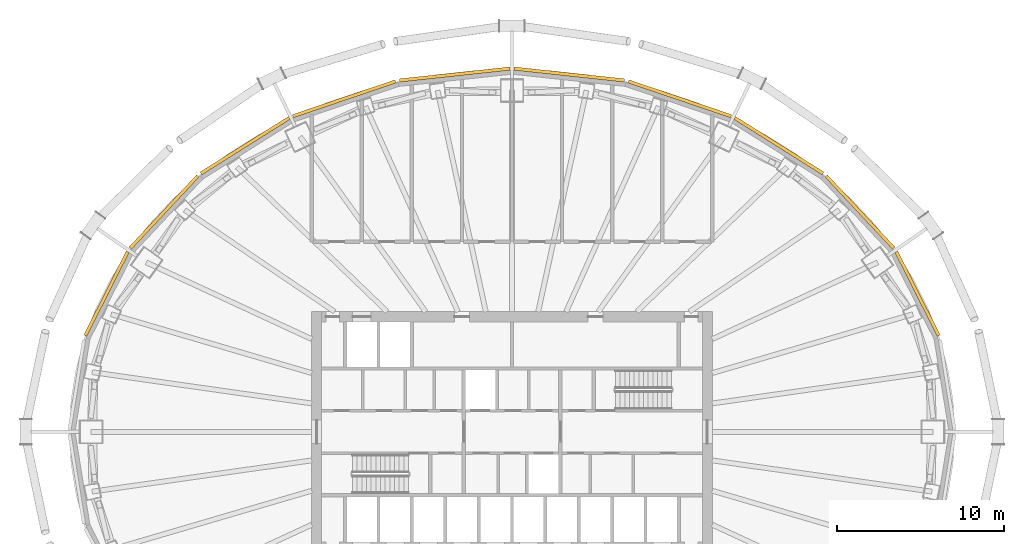
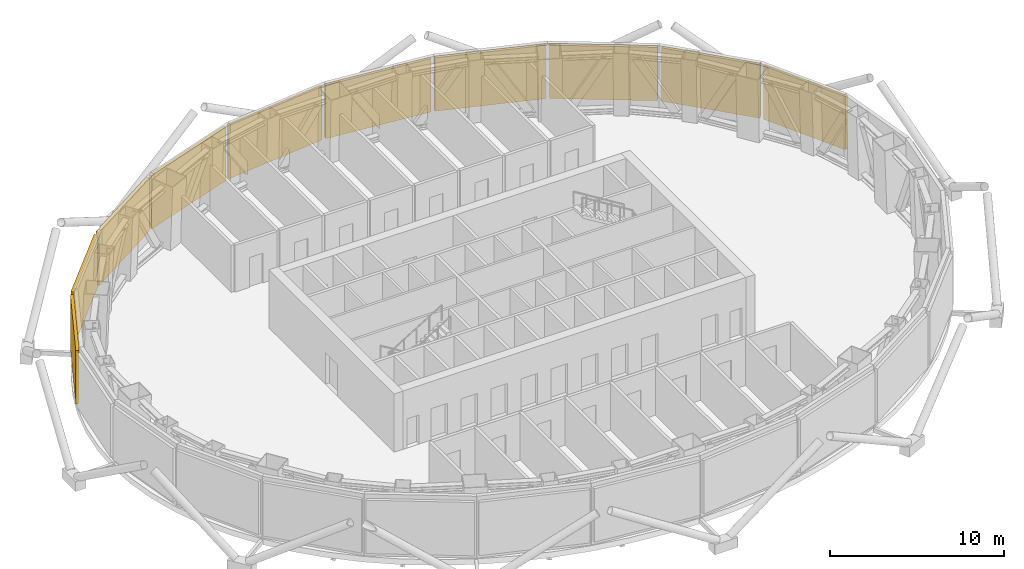
# One storey, part 18 of 18: 10 shading devices.
"""IFC4 building model written with IfcOpenShell, lengths in metres."""

from ifc_helpers import new_model, si_unit, direction, frame, origin, origin_2d, place, context, subcontext, project, spatial, rectangle, extrude, material, layer, layer_set, type_object, element, save


model = new_model("IFC4")

# Units and contexts
model_context = context("Model", 3, precision=1e-05, world=origin(), true_north=direction((0.0, 1.0)))
body_context = subcontext(model_context, "Body", "Model", "MODEL_VIEW")
ifc_project = project(units=[si_unit("LENGTHUNIT", "METRE"), si_unit("AREAUNIT", "SQUARE_METRE"), si_unit("VOLUMEUNIT", "CUBIC_METRE"), si_unit("PLANEANGLEUNIT", "RADIAN"), si_unit("MASSUNIT", "GRAM", prefix="KILO")], contexts=[model_context])

# Site, building, storey
site_placement = place(None, origin())
site = spatial("IfcSite", under=ifc_project, at=site_placement, CompositionType="ELEMENT")
building_placement = place(site_placement, origin())
building = spatial("IfcBuilding", under=site, at=building_placement, Name="Siaravel Broadcast Tower", CompositionType="ELEMENT")
storey_placement = place(building_placement, frame((0.0, 0.0, 92.60009765625)))
storey = spatial("IfcBuildingStorey", under=building, at=storey_placement, Name="L21", CompositionType="ELEMENT", Elevation=92.60009765625)

# Shading devices
ifc_material = material(Name="Bronze anodised aluminium", Category="aluminium")
ifc_layer = layer(ifc_material, 0.199951171875)
ifc_layer_set = layer_set([ifc_layer], Name="Bronze anodised aluminium")
shading_device_type = type_object("IfcShadingDeviceType", Name="Plant louvre bank", PredefinedType="USERDEFINED", material=ifc_layer_set)
shading_device_1_placement = place(storey_placement, frame((24.296142578125, 8.28369140625, 0.2998046875), z_axis=(0.0, 0.0, 1.0), x_axis=(-0.451260732, 0.892392151, 0.0)))
element("IfcShadingDevice", 1, at=shading_device_1_placement, inside=storey, type_object=shading_device_type, Name="L21 plant louvre bank 02", ObjectType="LOUVRE", PredefinedType="USERDEFINED", context=body_context, shape_type="SweptSolid", body=[
    extrude(rectangle(XDim=5.628173828125, YDim=0.199951171875, at=origin_2d()), origin(), (0.0, 0.0, 1.0), 3.75),
])
shading_device_2_placement = place(storey_placement, frame((20.853759765625, 13.168212890625, 0.2998046875), z_axis=(0.0, 0.0, 1.0), x_axis=(-0.683654718, 0.729805608, 0.0)))
element("IfcShadingDevice", 2, at=shading_device_2_placement, inside=storey, type_object=shading_device_type, Name="L21 plant louvre bank 03", ObjectType="LOUVRE", PredefinedType="USERDEFINED", context=body_context, shape_type="SweptSolid", body=[
    extrude(rectangle(XDim=5.91748046875, YDim=0.199951171875, at=origin_2d()), origin(), (0.0, 0.0, 1.0), 3.75),
])
shading_device_3_placement = place(storey_placement, frame((15.994140625, 17.1494140625, 0.2998046875), z_axis=(0.0, 0.0, 1.0), x_axis=(-0.846650436, 0.532149452, 0.0)))
element("IfcShadingDevice", 3, at=shading_device_3_placement, inside=storey, type_object=shading_device_type, Name="L21 plant louvre bank 04", ObjectType="LOUVRE", PredefinedType="USERDEFINED", context=body_context, shape_type="SweptSolid", body=[
    extrude(rectangle(XDim=6.235595703125, YDim=0.199951171875, at=origin_2d()), origin(), (0.0, 0.0, 1.0), 3.75),
])
shading_device_4_placement = place(storey_placement, frame((10.05078125, 19.960205078125, 0.2998046875), z_axis=(0.0, 0.0, 1.0), x_axis=(-0.946977245, 0.321300635, 0.0)))
element("IfcShadingDevice", 4, at=shading_device_4_placement, inside=storey, type_object=shading_device_type, Name="L21 plant louvre bank 05", ObjectType="LOUVRE", PredefinedType="USERDEFINED", context=body_context, shape_type="SweptSolid", body=[
    extrude(rectangle(XDim=6.4990234375, YDim=0.199951171875, at=origin_2d()), origin(), (0.0, 0.0, 1.0), 3.75),
])
for number, where, z_axis, x_axis, name in (
    (5, (3.427490234375, 21.4140625, 0.2998046875), (0.0, 0.0, 1.0), (-0.994235667, 0.107216783, 0.0), "L21 plant louvre bank 06"),
    (6, (-3.427490234375, 21.4140625, 0.2998046875), (0.0, 0.0, 1.0), (-0.994235667, -0.107216783, 0.0), "L21 plant louvre bank 07"),
):
    element("IfcShadingDevice", number, at=place(storey_placement, frame(where, z_axis=z_axis, x_axis=x_axis)), inside=storey, type_object=shading_device_type, Name=name, ObjectType="LOUVRE", PredefinedType="USERDEFINED", context=body_context, shape_type="SweptSolid", body=[
        extrude(rectangle(XDim=6.646484375, YDim=0.199951171875, at=origin_2d()), origin(), (0.0, 0.0, 1.0), 3.75),
    ])
shading_device_5_placement = place(storey_placement, frame((-10.05078125, 19.960205078125, 0.2998046875), z_axis=(0.0, 0.0, 1.0), x_axis=(-0.946977245, -0.321300635, 0.0)))
element("IfcShadingDevice", 7, at=shading_device_5_placement, inside=storey, type_object=shading_device_type, Name="L21 plant louvre bank 08", ObjectType="LOUVRE", PredefinedType="USERDEFINED", context=body_context, shape_type="SweptSolid", body=[
    extrude(rectangle(XDim=6.4990234375, YDim=0.199951171875, at=origin_2d()), origin(), (0.0, 0.0, 1.0), 3.75),
])
shading_device_6_placement = place(storey_placement, frame((-15.994140625, 17.1494140625, 0.2998046875), z_axis=(0.0, 0.0, 1.0), x_axis=(-0.846650436, -0.532149452, 0.0)))
element("IfcShadingDevice", 8, at=shading_device_6_placement, inside=storey, type_object=shading_device_type, Name="L21 plant louvre bank 09", ObjectType="LOUVRE", PredefinedType="USERDEFINED", context=body_context, shape_type="SweptSolid", body=[
    extrude(rectangle(XDim=6.235595703125, YDim=0.199951171875, at=origin_2d()), origin(), (0.0, 0.0, 1.0), 3.75),
])
shading_device_7_placement = place(storey_placement, frame((-20.853759765625, 13.168212890625, 0.2998046875), z_axis=(0.0, 0.0, 1.0), x_axis=(-0.683654718, -0.729805608, 0.0)))
element("IfcShadingDevice", 9, at=shading_device_7_placement, inside=storey, type_object=shading_device_type, Name="L21 plant louvre bank 10", ObjectType="LOUVRE", PredefinedType="USERDEFINED", context=body_context, shape_type="SweptSolid", body=[
    extrude(rectangle(XDim=5.91748046875, YDim=0.199951171875, at=origin_2d()), origin(), (0.0, 0.0, 1.0), 3.75),
])
shading_device_8_placement = place(storey_placement, frame((-24.296142578125, 8.28369140625, 0.2998046875), z_axis=(0.0, 0.0, 1.0), x_axis=(-0.451260732, -0.892392151, 0.0)))
element("IfcShadingDevice", 10, at=shading_device_8_placement, inside=storey, type_object=shading_device_type, Name="L21 plant louvre bank 11", ObjectType="LOUVRE", PredefinedType="USERDEFINED", context=body_context, shape_type="SweptSolid", body=[
    extrude(rectangle(XDim=5.628173828125, YDim=0.199951171875, at=origin_2d()), origin(), (0.0, 0.0, 1.0), 3.75),
])

save(model, "model.ifc")
